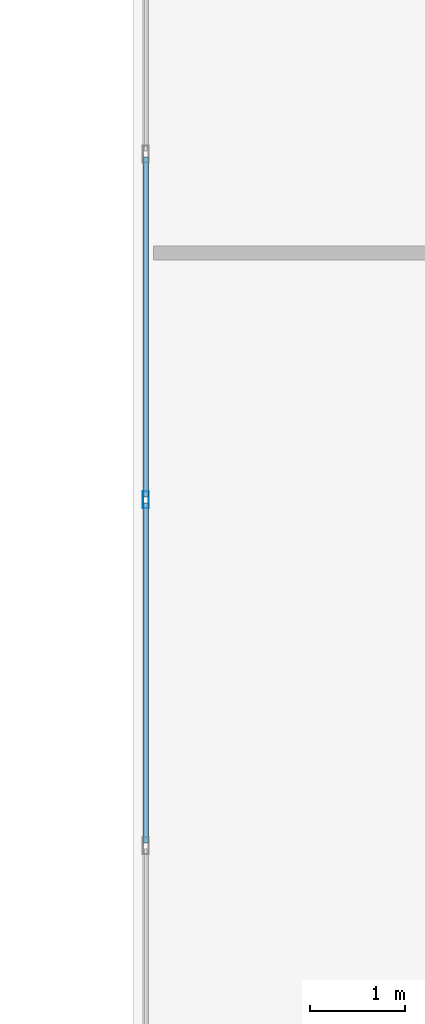
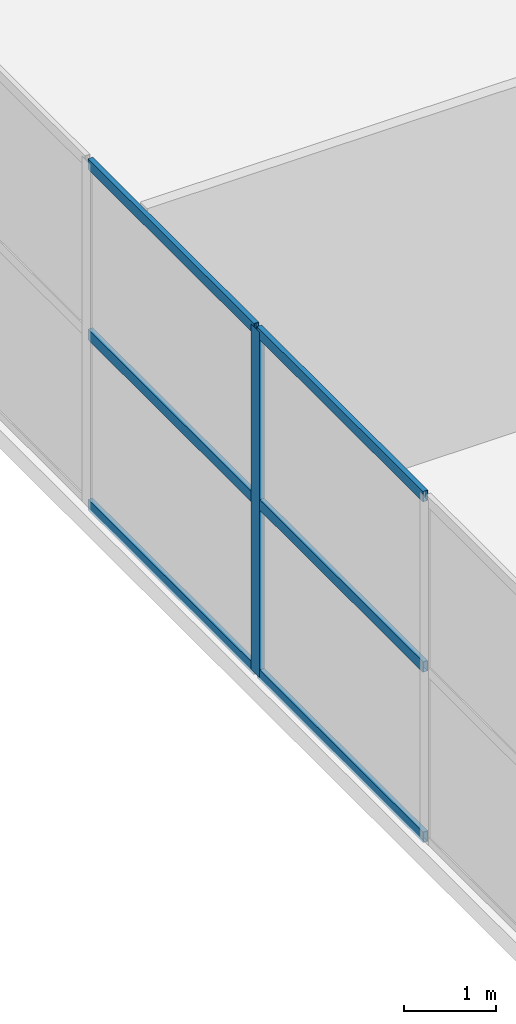
# One storey, part 7 of 31: 7 members, 1 element without a shape of its own.
"""IFC4 building model written with IfcOpenShell, lengths in metres."""

import ifcopenshell
import ifcopenshell.guid

model = None  # the IFC model being written
_history = None  # IfcOwnerHistory: only IFC2X3 demands one
_inside = {}  # id of a spatial element -> (the spatial element, [elements in it])
_under = {}  # id of a project, library or spatial element -> (it, [spatial elements below it])
_declared = {}  # id of a project -> (the project, [libraries it declares])
_typed = {}  # id of a type object -> (the type object, [elements of that type])
_made_of = {}  # id of a material, layer set ... -> (it, [elements and type objects made of it])


def new_model(schema):
    """Start an empty IFC model of exactly this schema.

    Asked for "IFC4X3", IfcOpenShell would pick the latest addendum, in which some entities
    have other attributes; the version numbers below select the first issue.
    IFC2X3 requires an IfcOwnerHistory on every rooted entity: one is made here for all.
    """
    global model, _history
    if schema == "IFC4X3":
        model = ifcopenshell.file(schema_version=(4, 3, 0, 0))
    else:
        model = ifcopenshell.file(schema=schema)
    _inside.clear()
    _under.clear()
    _declared.clear()
    _typed.clear()
    _made_of.clear()
    _history = None
    if model.schema == "IFC2X3":
        org = make("IfcOrganization", Name="unknown")
        user = make(
            "IfcPersonAndOrganization",
            ThePerson=make("IfcPerson", FamilyName="unknown"),
            TheOrganization=org,
        )
        app = make(
            "IfcApplication",
            ApplicationDeveloper=org,
            Version="unknown",
            ApplicationFullName="unknown",
            ApplicationIdentifier="unknown",
        )
        _history = make(
            "IfcOwnerHistory",
            OwningUser=user,
            OwningApplication=app,
            ChangeAction="ADDED",
            CreationDate=0,
        )
    return model


def make(cls, **values):
    """One entity of the class cls with the attributes given. An attribute that is None is left unset."""
    return model.create_entity(
        cls, **{name: value for name, value in values.items() if value is not None}
    )


def rooted(cls, **values):
    """An entity with a GlobalId (a new one), such as an element, a storey or a relation."""
    return make(cls, GlobalId=ifcopenshell.guid.new(), OwnerHistory=_history, **values)


def si_unit(unit_type, name, prefix=None):
    """IfcSIUnit, for example si_unit("LENGTHUNIT", "METRE", prefix="MILLI")."""
    return make("IfcSIUnit", UnitType=unit_type, Prefix=prefix, Name=name)


def assignment(units):
    """IfcUnitAssignment: the units of a project."""
    return None if units is None else make("IfcUnitAssignment", Units=units)


def point(xyz):
    """IfcCartesianPoint."""
    return None if xyz is None else make("IfcCartesianPoint", Coordinates=xyz)


def direction(xyz):
    """IfcDirection."""
    return None if xyz is None else make("IfcDirection", DirectionRatios=xyz)


def frame(location, z_axis=None, x_axis=None):
    """IfcAxis2Placement3D, a coordinate frame: its origin and axes. An axis left out is left unset."""
    return make(
        "IfcAxis2Placement3D",
        Location=point(location),
        Axis=direction(z_axis),
        RefDirection=direction(x_axis),
    )


def frame_2d(location, x_axis=None):
    """IfcAxis2Placement2D, a coordinate frame in the plane: its origin and x axis."""
    return make(
        "IfcAxis2Placement2D", Location=point(location), RefDirection=direction(x_axis)
    )


def origin():
    """The frame at (0, 0, 0) with its axes left unset."""
    return frame((0.0, 0.0, 0.0))


def origin_2d():
    """The frame at (0, 0) in the plane with its x axis left unset."""
    return frame_2d((0.0, 0.0))


def place(relative_to, where):
    """IfcLocalPlacement: puts the frame where relative to a parent placement (None: the world)."""
    return make(
        "IfcLocalPlacement", PlacementRelTo=relative_to, RelativePlacement=where
    )


def context(
    kind, dimensions, precision=None, world=None, true_north=None, identifier=None
):
    """IfcGeometricRepresentationContext, for example the 3D "Model" context."""
    return make(
        "IfcGeometricRepresentationContext",
        ContextIdentifier=identifier,
        ContextType=kind,
        CoordinateSpaceDimension=dimensions,
        Precision=precision,
        WorldCoordinateSystem=world,
        TrueNorth=true_north,
    )


def subcontext(parent, identifier, kind, view, scale=None):
    """IfcGeometricRepresentationSubContext, for example "Body" below "Model"."""
    return make(
        "IfcGeometricRepresentationSubContext",
        ContextIdentifier=identifier,
        ContextType=kind,
        ParentContext=parent,
        TargetScale=scale,
        TargetView=view,
    )


def project(units=None, contexts=None):
    """IfcProject with its units and contexts."""
    return rooted(
        "IfcProject",
        Name="project",
        RepresentationContexts=contexts,
        UnitsInContext=assignment(units),
    )


def spatial(cls, under=None, at=None, **own):
    """A site, building, storey or space (cls), placed at a placement, below another one or the project."""
    s = rooted(cls, ObjectPlacement=at, **own)
    if under is not None:
        _under.setdefault(under.id(), (under, []))[1].append(s)
    return s


def profile(cls, at=None, kind="AREA", **sizes):
    """A parametric profile (cls). Its sizes go by their IFC names, for example OverallWidth=200.0."""
    return make(cls, ProfileType=kind, Position=at, **sizes)


def hollow_rectangle(**sizes):
    """IfcRectangleHollowProfileDef."""
    return profile("IfcRectangleHollowProfileDef", **sizes)


def extrude(swept, where, along, depth):
    """IfcExtrudedAreaSolid: the profile swept, set in the frame where, extruded along a direction by depth."""
    return make(
        "IfcExtrudedAreaSolid",
        SweptArea=swept,
        Position=where,
        ExtrudedDirection=direction(along),
        Depth=depth,
    )


def shape(context_of_items, identifier, shape_type, items):
    """IfcShapeRepresentation: the items that make up one representation, for example the "Body"."""
    return make(
        "IfcShapeRepresentation",
        ContextOfItems=context_of_items,
        RepresentationIdentifier=identifier,
        RepresentationType=shape_type,
        Items=items,
    )


def material(Name=None, Category=None):
    """IfcMaterial."""
    return make("IfcMaterial", Name=Name, Category=Category)


def layer(
    of_material, thickness, ventilated=None, Name=None, Category=None, Priority=None
):
    """IfcMaterialLayer: one layer of a wall or slab, of a material (None: an air gap)."""
    return make(
        "IfcMaterialLayer",
        Material=of_material,
        LayerThickness=thickness,
        IsVentilated=ventilated,
        Name=Name,
        Category=Category,
        Priority=Priority,
    )


def layer_set(layers, Name=None):
    """IfcMaterialLayerSet."""
    return make("IfcMaterialLayerSet", MaterialLayers=layers, LayerSetName=Name)


def material_profile(
    of_material, cross_section, Name=None, Category=None, Priority=None
):
    """IfcMaterialProfile: a cross section and its material."""
    return make(
        "IfcMaterialProfile",
        Name=Name,
        Material=of_material,
        Profile=cross_section,
        Priority=Priority,
        Category=Category,
    )


def profile_set(profiles, Name=None, composite=None):
    """IfcMaterialProfileSet."""
    return make(
        "IfcMaterialProfileSet",
        Name=Name,
        MaterialProfiles=profiles,
        CompositeProfile=composite,
    )


def made_of(thing, what):
    """Note that an element or type object is made of a material, layer set ...; save() writes the relation."""
    if what is not None:
        _made_of.setdefault(what.id(), (what, []))[1].append(thing)
    return thing


def type_object(cls, material=None, **own):
    """A type object (cls), such as IfcWallType, which elements share."""
    return made_of(rooted(cls, **own), material)


def element(
    cls,
    number,
    at=None,
    inside=None,
    cuts=None,
    type_object=None,
    material=None,
    context=None,
    identifier="Body",
    shape_type=None,
    held_by="IfcProductDefinitionShape",
    body=None,
    shapes=None,
    **own,
):
    """One element of the class cls, such as IfcWall. Its Tag is "e" and its number.

    at: its placement. inside: the storey or other place that contains it. cuts: it is an
    opening in that element (IfcRelVoidsElement). A single representation is given by context,
    identifier, shape_type and body (its items); several are given by shapes. held_by: the class
    of the entity that holds the representations. save() writes the other relations.
    """
    e = rooted(cls, Tag="e%d" % number, ObjectPlacement=at, **own)
    if body is not None:
        shapes = [shape(context, identifier, shape_type, body)]
    if shapes is not None:
        e.Representation = make(held_by, Representations=shapes)
    if inside is not None:
        _inside.setdefault(inside.id(), (inside, []))[1].append(e)
    if cuts is not None:
        rooted(
            "IfcRelVoidsElement", RelatingBuildingElement=cuts, RelatedOpeningElement=e
        )
    if type_object is not None:
        _typed.setdefault(type_object.id(), (type_object, []))[1].append(e)
    return made_of(e, material)


def aggregate(whole, parts):
    """IfcRelAggregates: a whole, such as a stair, and the parts it consists of."""
    return rooted("IfcRelAggregates", RelatingObject=whole, RelatedObjects=parts)


def save(model, path):
    """Write the relations noted so far, then the file.

    IfcRelAggregates (storeys below a building ...), IfcRelContainedInSpatialStructure (elements
    in a storey), IfcRelDefinesByType, IfcRelAssociatesMaterial and IfcRelDeclares: one each for
    every whole, place, type object, material and project.
    """
    for whole, parts in _under.values():
        aggregate(whole, parts)
    for where, things in _inside.values():
        rooted(
            "IfcRelContainedInSpatialStructure",
            RelatedElements=things,
            RelatingStructure=where,
        )
    for kind, things in _typed.values():
        rooted("IfcRelDefinesByType", RelatedObjects=things, RelatingType=kind)
    for what, things in _made_of.values():
        rooted("IfcRelAssociatesMaterial", RelatedObjects=things, RelatingMaterial=what)
    for by, libraries in _declared.values():
        rooted("IfcRelDeclares", RelatingContext=by, RelatedDefinitions=libraries)
    model.write(path)


model = new_model("IFC4")

# Units and contexts
model_context = context("Model", 3, precision=1e-05, world=origin(), true_north=direction((0.0, 1.0)))
body_context = subcontext(model_context, "Body", "Model", "MODEL_VIEW")
ifc_project = project(units=[si_unit("LENGTHUNIT", "METRE"), si_unit("AREAUNIT", "SQUARE_METRE"), si_unit("VOLUMEUNIT", "CUBIC_METRE"), si_unit("PLANEANGLEUNIT", "RADIAN"), si_unit("MASSUNIT", "GRAM", prefix="KILO")], contexts=[model_context])

# Site, building, storey
site_placement = place(None, origin())
site = spatial("IfcSite", under=ifc_project, at=site_placement, CompositionType="ELEMENT")
building_placement = place(site_placement, origin())
building = spatial("IfcBuilding", under=site, at=building_placement, Name="Haolan Belvedere Tower", CompositionType="ELEMENT")
storey_placement = place(building_placement, frame((0.0, 0.0, 5.39990234375)))
storey = spatial("IfcBuildingStorey", under=building, at=storey_placement, Name="L01", CompositionType="ELEMENT", Elevation=5.39990234375)

# Curtain wall, members
ifc_material_1 = material(Name="Anodised champagne-silver aluminium 6063-T6 and Low-E glass", Category="aluminium")
ifc_layer = layer(ifc_material_1, 0.179931640625, Name="Anodised champagne-silver aluminium 6063-T6 and Low-E glass")
ifc_layer_set = layer_set([ifc_layer], Name="Anodised champagne-silver aluminium 6063-T6 and Low-E glass")
curtain_wall_type = type_object("IfcCurtainWallType", Name="CW-SYS-01", PredefinedType="NOTDEFINED", material=ifc_layer_set)
curtain_wall_placement = place(storey_placement, origin())
curtain_wall = element("IfcCurtainWall", 1, at=curtain_wall_placement, inside=storey, type_object=curtain_wall_type, Name="L01 CW-SYS-01 ribbon curtain wall 4.1", PredefinedType="NOTDEFINED")
ifc_material_2 = material(Name="Anodised aluminium 6063-T6", Category="aluminium")
ifc_material_profile_1 = material_profile(ifc_material_2, hollow_rectangle(XDim=0.06494140625, YDim=0.179931640625, WallThickness=0.00390625, at=origin_2d()), Name="Anodised aluminium 6063-T6")
ifc_profile_set_1 = profile_set([ifc_material_profile_1], Name="Anodised aluminium 6063-T6")
member_type_1 = type_object("IfcMemberType", Name="CW-SYS-01-MUL", PredefinedType="MULLION", material=ifc_profile_set_1)
member_1_placement = place(storey_placement, frame((1.330078125, 31.790283203125, 0.0), z_axis=(0.0, 0.0, 1.0), x_axis=(1.0, 0.0, 0.0)))
member_1 = element("IfcMember", 2, at=member_1_placement, type_object=member_type_1, Name="CW-01 mullion 7", PredefinedType="MULLION", context=body_context, shape_type="SweptSolid", body=[
    extrude(hollow_rectangle(XDim=0.06494140625, YDim=0.179931640625, WallThickness=0.00390625, at=origin_2d()), origin(), (0.0, 0.0, 1.0), 4.56005859375),
])
ifc_material_profile_2 = material_profile(ifc_material_2, hollow_rectangle(XDim=0.06005859375, YDim=0.139892578125, WallThickness=0.00390625, at=origin_2d()), Name="Anodised aluminium 6063-T6")
ifc_profile_set_2 = profile_set([ifc_material_profile_2], Name="Anodised aluminium 6063-T6")
member_type_2 = type_object("IfcMemberType", Name="CW-SYS-01-TRN", PredefinedType="USERDEFINED", material=ifc_profile_set_2)
member_2_placement = place(storey_placement, frame((1.330078125, 35.414306640625, 0.030029296875), z_axis=(0.0, -1.0, 0.0), x_axis=(1.0, 0.0, 0.0)))
member_2 = element("IfcMember", 3, at=member_2_placement, type_object=member_type_2, Name="CW-01 transom 6.1", ObjectType="TRANSOM", PredefinedType="USERDEFINED", context=body_context, shape_type="SweptSolid", body=[
    extrude(hollow_rectangle(XDim=0.06005859375, YDim=0.139892578125, WallThickness=0.00390625, at=origin_2d()), origin(), (0.0, 0.0, 1.0), 3.591552734375),
])
member_3_placement = place(storey_placement, frame((1.330078125, 35.414306640625, 2.280029296875), z_axis=(0.0, -1.0, 0.0), x_axis=(1.0, 0.0, 0.0)))
member_3 = element("IfcMember", 4, at=member_3_placement, type_object=member_type_2, Name="CW-01 transom 6.2", ObjectType="TRANSOM", PredefinedType="USERDEFINED", context=body_context, shape_type="SweptSolid", body=[
    extrude(hollow_rectangle(XDim=0.06005859375, YDim=0.139892578125, WallThickness=0.00390625, at=origin_2d()), origin(), (0.0, 0.0, 1.0), 3.591552734375),
])
member_4_placement = place(storey_placement, frame((1.330078125, 35.414306640625, 4.530029296875), z_axis=(0.0, -1.0, 0.0), x_axis=(1.0, 0.0, 0.0)))
member_4 = element("IfcMember", 5, at=member_4_placement, type_object=member_type_2, Name="CW-01 transom 6.3", ObjectType="TRANSOM", PredefinedType="USERDEFINED", context=body_context, shape_type="SweptSolid", body=[
    extrude(hollow_rectangle(XDim=0.06005859375, YDim=0.139892578125, WallThickness=0.00390625, at=origin_2d()), origin(), (0.0, 0.0, 1.0), 3.591552734375),
])
member_5_placement = place(storey_placement, frame((1.330078125, 31.7578125, 0.030029296875), z_axis=(0.0, -1.0, 0.0), x_axis=(1.0, 0.0, 0.0)))
member_5 = element("IfcMember", 6, at=member_5_placement, type_object=member_type_2, Name="CW-01 transom 7.1", ObjectType="TRANSOM", PredefinedType="USERDEFINED", context=body_context, shape_type="SweptSolid", body=[
    extrude(hollow_rectangle(XDim=0.06005859375, YDim=0.139892578125, WallThickness=0.00390625, at=origin_2d()), origin(), (0.0, 0.0, 1.0), 3.591796875),
])
member_6_placement = place(storey_placement, frame((1.330078125, 31.7578125, 2.280029296875), z_axis=(0.0, -1.0, 0.0), x_axis=(1.0, 0.0, 0.0)))
member_6 = element("IfcMember", 7, at=member_6_placement, type_object=member_type_2, Name="CW-01 transom 7.2", ObjectType="TRANSOM", PredefinedType="USERDEFINED", context=body_context, shape_type="SweptSolid", body=[
    extrude(hollow_rectangle(XDim=0.06005859375, YDim=0.139892578125, WallThickness=0.00390625, at=origin_2d()), origin(), (0.0, 0.0, 1.0), 3.591796875),
])
member_7_placement = place(storey_placement, frame((1.330078125, 31.7578125, 4.530029296875), z_axis=(0.0, -1.0, 0.0), x_axis=(1.0, 0.0, 0.0)))
member_7 = element("IfcMember", 8, at=member_7_placement, type_object=member_type_2, Name="CW-01 transom 7.3", ObjectType="TRANSOM", PredefinedType="USERDEFINED", context=body_context, shape_type="SweptSolid", body=[
    extrude(hollow_rectangle(XDim=0.06005859375, YDim=0.139892578125, WallThickness=0.00390625, at=origin_2d()), origin(), (0.0, 0.0, 1.0), 3.591796875),
])
aggregate(curtain_wall, [member_1, member_2, member_3, member_4, member_5, member_6, member_7])

save(model, "model.ifc")
